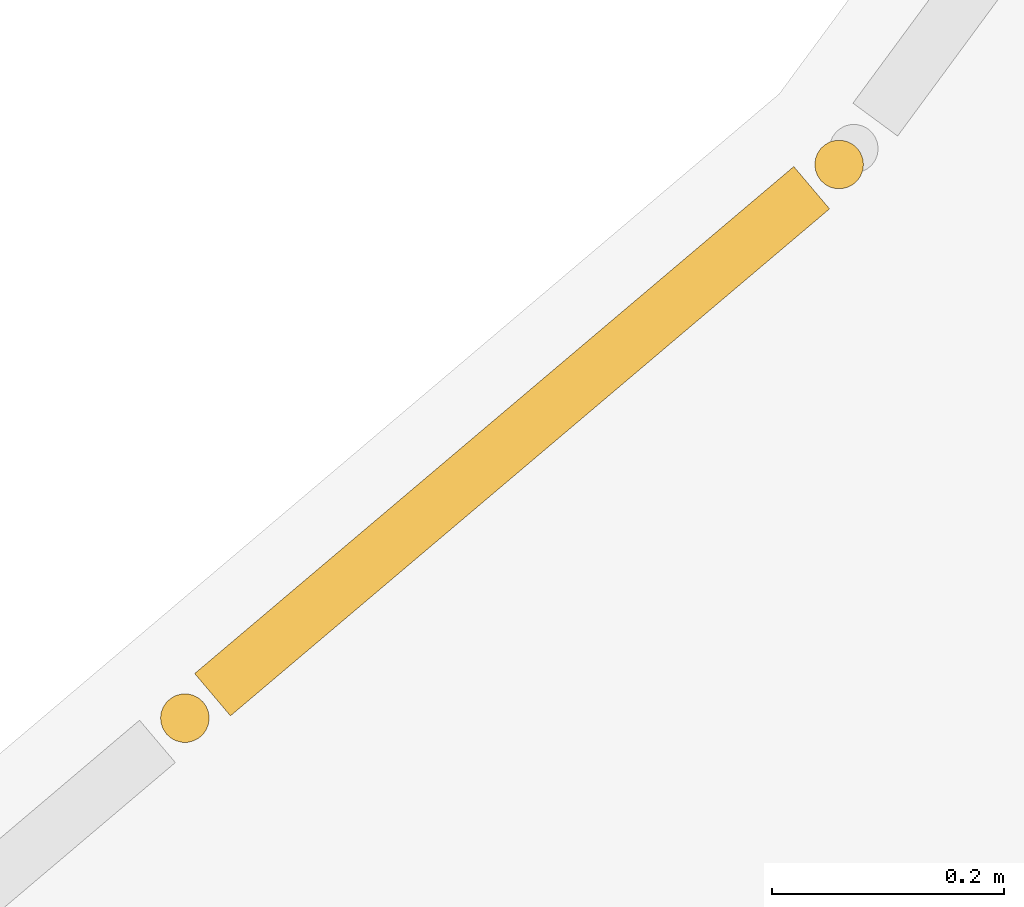
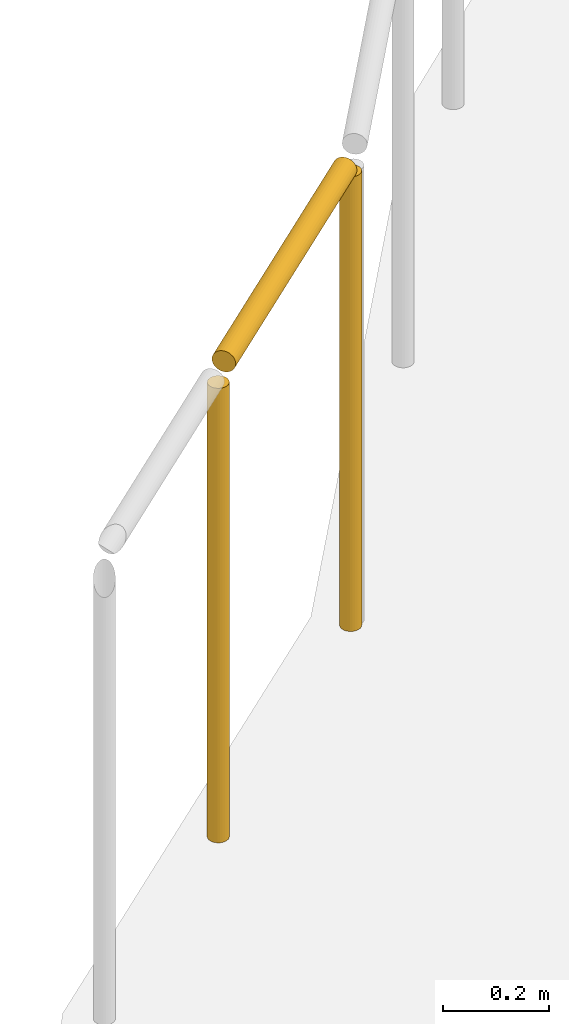
# One storey, part 69 of 83: 1 railing.
"""IFC4 building model written with IfcOpenShell, lengths in metres."""

import ifcopenshell
import ifcopenshell.guid

model = None  # the IFC model being written
_history = None  # IfcOwnerHistory: only IFC2X3 demands one
_inside = {}  # id of a spatial element -> (the spatial element, [elements in it])
_under = {}  # id of a project, library or spatial element -> (it, [spatial elements below it])
_declared = {}  # id of a project -> (the project, [libraries it declares])
_typed = {}  # id of a type object -> (the type object, [elements of that type])
_made_of = {}  # id of a material, layer set ... -> (it, [elements and type objects made of it])


def new_model(schema):
    """Start an empty IFC model of exactly this schema.

    Asked for "IFC4X3", IfcOpenShell would pick the latest addendum, in which some entities
    have other attributes; the version numbers below select the first issue.
    IFC2X3 requires an IfcOwnerHistory on every rooted entity: one is made here for all.
    """
    global model, _history
    if schema == "IFC4X3":
        model = ifcopenshell.file(schema_version=(4, 3, 0, 0))
    else:
        model = ifcopenshell.file(schema=schema)
    _inside.clear()
    _under.clear()
    _declared.clear()
    _typed.clear()
    _made_of.clear()
    _history = None
    if model.schema == "IFC2X3":
        org = make("IfcOrganization", Name="unknown")
        user = make(
            "IfcPersonAndOrganization",
            ThePerson=make("IfcPerson", FamilyName="unknown"),
            TheOrganization=org,
        )
        app = make(
            "IfcApplication",
            ApplicationDeveloper=org,
            Version="unknown",
            ApplicationFullName="unknown",
            ApplicationIdentifier="unknown",
        )
        _history = make(
            "IfcOwnerHistory",
            OwningUser=user,
            OwningApplication=app,
            ChangeAction="ADDED",
            CreationDate=0,
        )
    return model


def make(cls, **values):
    """One entity of the class cls with the attributes given. An attribute that is None is left unset."""
    return model.create_entity(
        cls, **{name: value for name, value in values.items() if value is not None}
    )


def rooted(cls, **values):
    """An entity with a GlobalId (a new one), such as an element, a storey or a relation."""
    return make(cls, GlobalId=ifcopenshell.guid.new(), OwnerHistory=_history, **values)


def si_unit(unit_type, name, prefix=None):
    """IfcSIUnit, for example si_unit("LENGTHUNIT", "METRE", prefix="MILLI")."""
    return make("IfcSIUnit", UnitType=unit_type, Prefix=prefix, Name=name)


def assignment(units):
    """IfcUnitAssignment: the units of a project."""
    return None if units is None else make("IfcUnitAssignment", Units=units)


def point(xyz):
    """IfcCartesianPoint."""
    return None if xyz is None else make("IfcCartesianPoint", Coordinates=xyz)


def direction(xyz):
    """IfcDirection."""
    return None if xyz is None else make("IfcDirection", DirectionRatios=xyz)


def frame(location, z_axis=None, x_axis=None):
    """IfcAxis2Placement3D, a coordinate frame: its origin and axes. An axis left out is left unset."""
    return make(
        "IfcAxis2Placement3D",
        Location=point(location),
        Axis=direction(z_axis),
        RefDirection=direction(x_axis),
    )


def frame_2d(location, x_axis=None):
    """IfcAxis2Placement2D, a coordinate frame in the plane: its origin and x axis."""
    return make(
        "IfcAxis2Placement2D", Location=point(location), RefDirection=direction(x_axis)
    )


def origin():
    """The frame at (0, 0, 0) with its axes left unset."""
    return frame((0.0, 0.0, 0.0))


def origin_2d():
    """The frame at (0, 0) in the plane with its x axis left unset."""
    return frame_2d((0.0, 0.0))


def place(relative_to, where):
    """IfcLocalPlacement: puts the frame where relative to a parent placement (None: the world)."""
    return make(
        "IfcLocalPlacement", PlacementRelTo=relative_to, RelativePlacement=where
    )


def context(
    kind, dimensions, precision=None, world=None, true_north=None, identifier=None
):
    """IfcGeometricRepresentationContext, for example the 3D "Model" context."""
    return make(
        "IfcGeometricRepresentationContext",
        ContextIdentifier=identifier,
        ContextType=kind,
        CoordinateSpaceDimension=dimensions,
        Precision=precision,
        WorldCoordinateSystem=world,
        TrueNorth=true_north,
    )


def subcontext(parent, identifier, kind, view, scale=None):
    """IfcGeometricRepresentationSubContext, for example "Body" below "Model"."""
    return make(
        "IfcGeometricRepresentationSubContext",
        ContextIdentifier=identifier,
        ContextType=kind,
        ParentContext=parent,
        TargetScale=scale,
        TargetView=view,
    )


def project(units=None, contexts=None):
    """IfcProject with its units and contexts."""
    return rooted(
        "IfcProject",
        Name="project",
        RepresentationContexts=contexts,
        UnitsInContext=assignment(units),
    )


def spatial(cls, under=None, at=None, **own):
    """A site, building, storey or space (cls), placed at a placement, below another one or the project."""
    s = rooted(cls, ObjectPlacement=at, **own)
    if under is not None:
        _under.setdefault(under.id(), (under, []))[1].append(s)
    return s


def profile(cls, at=None, kind="AREA", **sizes):
    """A parametric profile (cls). Its sizes go by their IFC names, for example OverallWidth=200.0."""
    return make(cls, ProfileType=kind, Position=at, **sizes)


def circle(**sizes):
    """IfcCircleProfileDef."""
    return profile("IfcCircleProfileDef", **sizes)


def extrude(swept, where, along, depth):
    """IfcExtrudedAreaSolid: the profile swept, set in the frame where, extruded along a direction by depth."""
    return make(
        "IfcExtrudedAreaSolid",
        SweptArea=swept,
        Position=where,
        ExtrudedDirection=direction(along),
        Depth=depth,
    )


def shape(context_of_items, identifier, shape_type, items):
    """IfcShapeRepresentation: the items that make up one representation, for example the "Body"."""
    return make(
        "IfcShapeRepresentation",
        ContextOfItems=context_of_items,
        RepresentationIdentifier=identifier,
        RepresentationType=shape_type,
        Items=items,
    )


def material(Name=None, Category=None):
    """IfcMaterial."""
    return make("IfcMaterial", Name=Name, Category=Category)


def made_of(thing, what):
    """Note that an element or type object is made of a material, layer set ...; save() writes the relation."""
    if what is not None:
        _made_of.setdefault(what.id(), (what, []))[1].append(thing)
    return thing


def type_object(cls, material=None, **own):
    """A type object (cls), such as IfcWallType, which elements share."""
    return made_of(rooted(cls, **own), material)


def element(
    cls,
    number,
    at=None,
    inside=None,
    cuts=None,
    type_object=None,
    material=None,
    context=None,
    identifier="Body",
    shape_type=None,
    held_by="IfcProductDefinitionShape",
    body=None,
    shapes=None,
    **own,
):
    """One element of the class cls, such as IfcWall. Its Tag is "e" and its number.

    at: its placement. inside: the storey or other place that contains it. cuts: it is an
    opening in that element (IfcRelVoidsElement). A single representation is given by context,
    identifier, shape_type and body (its items); several are given by shapes. held_by: the class
    of the entity that holds the representations. save() writes the other relations.
    """
    e = rooted(cls, Tag="e%d" % number, ObjectPlacement=at, **own)
    if body is not None:
        shapes = [shape(context, identifier, shape_type, body)]
    if shapes is not None:
        e.Representation = make(held_by, Representations=shapes)
    if inside is not None:
        _inside.setdefault(inside.id(), (inside, []))[1].append(e)
    if cuts is not None:
        rooted(
            "IfcRelVoidsElement", RelatingBuildingElement=cuts, RelatedOpeningElement=e
        )
    if type_object is not None:
        _typed.setdefault(type_object.id(), (type_object, []))[1].append(e)
    return made_of(e, material)


def aggregate(whole, parts):
    """IfcRelAggregates: a whole, such as a stair, and the parts it consists of."""
    return rooted("IfcRelAggregates", RelatingObject=whole, RelatedObjects=parts)


def save(model, path):
    """Write the relations noted so far, then the file.

    IfcRelAggregates (storeys below a building ...), IfcRelContainedInSpatialStructure (elements
    in a storey), IfcRelDefinesByType, IfcRelAssociatesMaterial and IfcRelDeclares: one each for
    every whole, place, type object, material and project.
    """
    for whole, parts in _under.values():
        aggregate(whole, parts)
    for where, things in _inside.values():
        rooted(
            "IfcRelContainedInSpatialStructure",
            RelatedElements=things,
            RelatingStructure=where,
        )
    for kind, things in _typed.values():
        rooted("IfcRelDefinesByType", RelatedObjects=things, RelatingType=kind)
    for what, things in _made_of.values():
        rooted("IfcRelAssociatesMaterial", RelatedObjects=things, RelatingMaterial=what)
    for by, libraries in _declared.values():
        rooted("IfcRelDeclares", RelatingContext=by, RelatedDefinitions=libraries)
    model.write(path)


model = new_model("IFC4")

# Units and contexts
model_context = context("Model", 3, precision=1e-05, world=origin(), true_north=direction((0.0, 1.0)))
body_context = subcontext(model_context, "Body", "Model", "MODEL_VIEW")
ifc_project = project(units=[si_unit("LENGTHUNIT", "METRE"), si_unit("AREAUNIT", "SQUARE_METRE"), si_unit("VOLUMEUNIT", "CUBIC_METRE"), si_unit("PLANEANGLEUNIT", "RADIAN"), si_unit("MASSUNIT", "GRAM", prefix="KILO")], contexts=[model_context])

# Site, building, storey
site_placement = place(None, origin())
site = spatial("IfcSite", under=ifc_project, at=site_placement, CompositionType="ELEMENT")
building_placement = place(site_placement, origin())
building = spatial("IfcBuilding", under=site, at=building_placement, Name="Tanwirah Colonnade Gardens", CompositionType="ELEMENT")
storey_placement = place(building_placement, frame((0.0, 0.0, 25.639892578125)))
storey = spatial("IfcBuildingStorey", under=building, at=storey_placement, Name="L07", CompositionType="ELEMENT", Elevation=25.639892578125)

# Railing
ifc_material = material(Name="Precast concrete C40/50", Category="concrete")
railing_type = type_object("IfcRailingType", Name="BAL-EXT110", PredefinedType="BALUSTRADE", material=ifc_material)
railing_placement = place(storey_placement, frame((131.62548828125, 20.57763671875, 0.0)))
element("IfcRailing", 1, at=railing_placement, inside=storey, type_object=railing_type, Name="Block D L07 Balcony Ribbon Balustrade 18", PredefinedType="BALUSTRADE", context=body_context, shape_type="SweptSolid", body=[
    extrude(circle(Radius=0.02392578125, at=origin_2d()), frame((0.02392578125, 0.020263671875, 1.076171875), z_axis=(0.763361269606, 0.645971804388, 0.0), x_axis=(-0.645971804388, 0.763361269606, 0.0)), (0.0, 0.0, 1.0), 0.677978515625),
    extrude(circle(Radius=0.02099609375, at=origin_2d()), origin(), (0.0, 0.0, 1.0), 1.049072265625),
    extrude(circle(Radius=0.02099609375, at=origin_2d()), frame((0.565185546875, 0.478271484375, 0.0)), (0.0, 0.0, 1.0), 1.049072265625),
])

save(model, "model.ifc")
